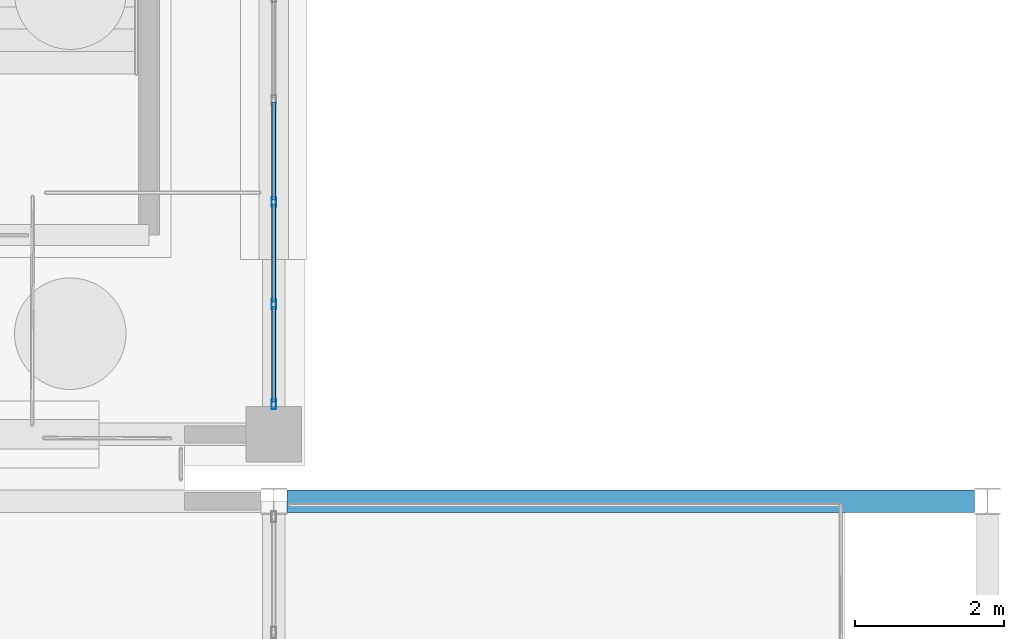
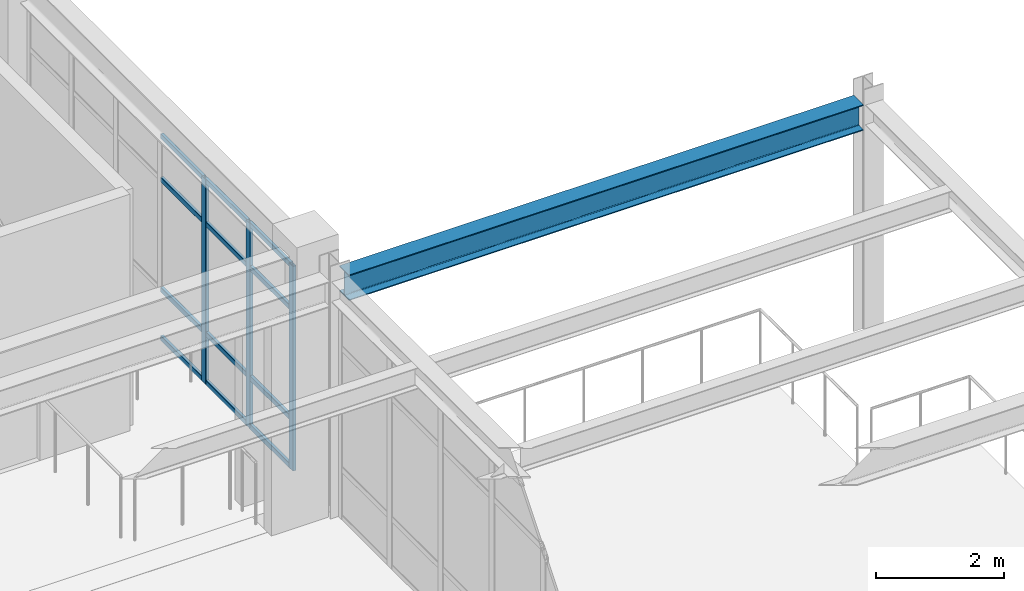
# One storey, part 39 of 139: 15 members, 1 beam, 1 element without a shape of its own.
"""IFC4 building model written with IfcOpenShell, lengths in metres."""

from ifc_helpers import new_model, si_unit, direction, frame, origin, origin_2d, place, context, subcontext, project, spatial, hollow_rectangle, i_section, extrude, material, material_profile, profile_set, type_object, element, aggregate, save


model = new_model("IFC4")

# Units and contexts
model_context = context("Model", 3, precision=1e-05, world=origin(), true_north=direction((0.0, 1.0)))
body_context = subcontext(model_context, "Body", "Model", "MODEL_VIEW")
ifc_project = project(units=[si_unit("LENGTHUNIT", "METRE"), si_unit("AREAUNIT", "SQUARE_METRE"), si_unit("VOLUMEUNIT", "CUBIC_METRE"), si_unit("PLANEANGLEUNIT", "RADIAN"), si_unit("MASSUNIT", "GRAM", prefix="KILO")], contexts=[model_context])

# Site, building, storey
site_placement = place(None, origin())
site = spatial("IfcSite", under=ifc_project, at=site_placement, CompositionType="ELEMENT")
building_placement = place(site_placement, origin())
building = spatial("IfcBuilding", under=site, at=building_placement, Name="Canglan Escarpment Cableway Terminal", CompositionType="ELEMENT")
storey_placement = place(building_placement, frame((0.0, 0.0, 14.39990234375)))
storey = spatial("IfcBuildingStorey", under=building, at=storey_placement, Name="L03", CompositionType="ELEMENT", Elevation=14.39990234375)

# Beam
ifc_material_1 = material(Name="Steel Q355B", Category="steel")
ifc_material_profile_1 = material_profile(ifc_material_1, i_section(OverallWidth=0.300048828125, OverallDepth=0.488037109375, WebThickness=0.010986328125, FlangeThickness=0.01806640625, FilletRadius=0.02587890625, at=origin_2d()), Name="HM 488x300x11x18")
ifc_profile_set_1 = profile_set([ifc_material_profile_1], Name="Steel Q355B")
beam_type = type_object("IfcBeamType", Name="BM-HM488", PredefinedType="BEAM", material=ifc_profile_set_1)
beam_placement = place(storey_placement, frame((166.574951171875, 33.10009765625, 4.256103515625), z_axis=(1.0, 0.0, 0.0), x_axis=(0.0, 1.0, 0.0)))
element("IfcBeam", 1, at=beam_placement, inside=storey, type_object=beam_type, Name="Primary structural girder B-09", PredefinedType="BEAM", context=body_context, shape_type="SweptSolid", body=[
    extrude(i_section(OverallWidth=0.300048828125, OverallDepth=0.488037109375, WebThickness=0.010986328125, FlangeThickness=0.01806640625, FilletRadius=0.02587890625, at=origin_2d()), origin(), (0.0, 0.0, 1.0), 9.25),
])

# Curtain wall, members
ifc_material_2 = material(Name="Anodized bronze aluminium and Low-E double glazing", Category="aluminium")
curtain_wall_type = type_object("IfcCurtainWallType", Name="CW-BAY-8250x3900", PredefinedType="NOTDEFINED", material=ifc_material_2)
curtain_wall_placement = place(storey_placement, origin())
curtain_wall = element("IfcCurtainWall", 2, at=curtain_wall_placement, inside=storey, type_object=curtain_wall_type, Name="Classical bay-between-piers glazed curtain wall CW-62", PredefinedType="NOTDEFINED")
ifc_material_3 = material(Name="Thermally broken anodized aluminium 6063-T6", Category="aluminium")
ifc_material_profile_2 = material_profile(ifc_material_3, hollow_rectangle(XDim=0.06005859375, YDim=0.1298828125, WallThickness=0.0029296875, InnerFilletRadius=0.0029296875, OuterFilletRadius=0.006103515625, at=origin_2d()), Name="ALU-MULL 60x130x3")
ifc_profile_set_2 = profile_set([ifc_material_profile_2], Name="Thermally broken anodized aluminium 6063-T6")
member_type_1 = type_object("IfcMemberType", Name="CWM-01", PredefinedType="MULLION", material=ifc_profile_set_2)
member_1_placement = place(storey_placement, frame((166.39990234375, 34.405029296875, 0.0), z_axis=(0.0, 0.0, 1.0), x_axis=(-1.0, 0.0, 0.0)))
member_1 = element("IfcMember", 3, at=member_1_placement, type_object=member_type_1, Name="CW-62 mullion 1", PredefinedType="MULLION", context=body_context, shape_type="SweptSolid", body=[
    extrude(hollow_rectangle(XDim=0.06005859375, YDim=0.1298828125, WallThickness=0.0029296875, InnerFilletRadius=0.0029296875, OuterFilletRadius=0.006103515625, at=origin_2d()), origin(), (0.0, 0.0, 1.0), 3.89111328125),
])
member_2_placement = place(storey_placement, frame((166.39990234375, 35.75, 0.0), z_axis=(0.0, 0.0, 1.0), x_axis=(-1.0, 0.0, 0.0)))
member_2 = element("IfcMember", 4, at=member_2_placement, type_object=member_type_1, Name="CW-62 mullion 2", PredefinedType="MULLION", context=body_context, shape_type="SweptSolid", body=[
    extrude(hollow_rectangle(XDim=0.06005859375, YDim=0.1298828125, WallThickness=0.0029296875, InnerFilletRadius=0.0029296875, OuterFilletRadius=0.006103515625, at=origin_2d()), origin(), (0.0, 0.0, 1.0), 3.89111328125),
])
member_3_placement = place(storey_placement, frame((166.39990234375, 37.125, 0.0), z_axis=(0.0, 0.0, 1.0), x_axis=(-1.0, 0.0, 0.0)))
member_3 = element("IfcMember", 5, at=member_3_placement, type_object=member_type_1, Name="CW-62 mullion 3", PredefinedType="MULLION", context=body_context, shape_type="SweptSolid", body=[
    extrude(hollow_rectangle(XDim=0.06005859375, YDim=0.1298828125, WallThickness=0.0029296875, InnerFilletRadius=0.0029296875, OuterFilletRadius=0.006103515625, at=origin_2d()), origin(), (0.0, 0.0, 1.0), 3.89111328125),
])
ifc_material_profile_3 = material_profile(ifc_material_3, hollow_rectangle(XDim=0.054931640625, YDim=0.094970703125, WallThickness=0.0029296875, InnerFilletRadius=0.0029296875, OuterFilletRadius=0.006103515625, at=origin_2d()), Name="ALU-TRAN 55x95x3")
ifc_profile_set_3 = profile_set([ifc_material_profile_3], Name="Thermally broken anodized aluminium 6063-T6")
member_type_2 = type_object("IfcMemberType", Name="CWT-01", PredefinedType="USERDEFINED", material=ifc_profile_set_3)
member_4_placement = place(storey_placement, frame((166.39990234375, 34.43505859375, 0.027587890625), z_axis=(0.0, 1.0, 0.0), x_axis=(-1.0, 0.0, 0.0)))
member_4 = element("IfcMember", 6, at=member_4_placement, type_object=member_type_2, Name="CW-62 transom 1.1", ObjectType="TRANSOM", PredefinedType="USERDEFINED", context=body_context, shape_type="SweptSolid", body=[
    extrude(hollow_rectangle(XDim=0.054931640625, YDim=0.094970703125, WallThickness=0.0029296875, InnerFilletRadius=0.0029296875, OuterFilletRadius=0.006103515625, at=origin_2d()), origin(), (0.0, 0.0, 1.0), 1.284912109375),
])
member_5_placement = place(storey_placement, frame((166.39990234375, 34.43505859375, 0.9501953125), z_axis=(0.0, 1.0, 0.0), x_axis=(-1.0, 0.0, 0.0)))
member_5 = element("IfcMember", 7, at=member_5_placement, type_object=member_type_2, Name="CW-62 transom 1.2", ObjectType="TRANSOM", PredefinedType="USERDEFINED", context=body_context, shape_type="SweptSolid", body=[
    extrude(hollow_rectangle(XDim=0.054931640625, YDim=0.094970703125, WallThickness=0.0029296875, InnerFilletRadius=0.0029296875, OuterFilletRadius=0.006103515625, at=origin_2d()), origin(), (0.0, 0.0, 1.0), 1.284912109375),
])
member_6_placement = place(storey_placement, frame((166.39990234375, 34.43505859375, 3.041015625), z_axis=(0.0, 1.0, 0.0), x_axis=(-1.0, 0.0, 0.0)))
member_6 = element("IfcMember", 8, at=member_6_placement, type_object=member_type_2, Name="CW-62 transom 1.3", ObjectType="TRANSOM", PredefinedType="USERDEFINED", context=body_context, shape_type="SweptSolid", body=[
    extrude(hollow_rectangle(XDim=0.054931640625, YDim=0.094970703125, WallThickness=0.0029296875, InnerFilletRadius=0.0029296875, OuterFilletRadius=0.006103515625, at=origin_2d()), origin(), (0.0, 0.0, 1.0), 1.284912109375),
])
member_7_placement = place(storey_placement, frame((166.39990234375, 34.43505859375, 3.863525390625), z_axis=(0.0, 1.0, 0.0), x_axis=(-1.0, 0.0, 0.0)))
member_7 = element("IfcMember", 9, at=member_7_placement, type_object=member_type_2, Name="CW-62 transom 1.4", ObjectType="TRANSOM", PredefinedType="USERDEFINED", context=body_context, shape_type="SweptSolid", body=[
    extrude(hollow_rectangle(XDim=0.054931640625, YDim=0.094970703125, WallThickness=0.0029296875, InnerFilletRadius=0.0029296875, OuterFilletRadius=0.006103515625, at=origin_2d()), origin(), (0.0, 0.0, 1.0), 1.284912109375),
])
member_8_placement = place(storey_placement, frame((166.39990234375, 35.780029296875, 0.027587890625), z_axis=(0.0, 1.0, 0.0), x_axis=(-1.0, 0.0, 0.0)))
member_8 = element("IfcMember", 10, at=member_8_placement, type_object=member_type_2, Name="CW-62 transom 2.1", ObjectType="TRANSOM", PredefinedType="USERDEFINED", context=body_context, shape_type="SweptSolid", body=[
    extrude(hollow_rectangle(XDim=0.054931640625, YDim=0.094970703125, WallThickness=0.0029296875, InnerFilletRadius=0.0029296875, OuterFilletRadius=0.006103515625, at=origin_2d()), origin(), (0.0, 0.0, 1.0), 1.31494140625),
])
member_9_placement = place(storey_placement, frame((166.39990234375, 35.780029296875, 0.9501953125), z_axis=(0.0, 1.0, 0.0), x_axis=(-1.0, 0.0, 0.0)))
member_9 = element("IfcMember", 11, at=member_9_placement, type_object=member_type_2, Name="CW-62 transom 2.2", ObjectType="TRANSOM", PredefinedType="USERDEFINED", context=body_context, shape_type="SweptSolid", body=[
    extrude(hollow_rectangle(XDim=0.054931640625, YDim=0.094970703125, WallThickness=0.0029296875, InnerFilletRadius=0.0029296875, OuterFilletRadius=0.006103515625, at=origin_2d()), origin(), (0.0, 0.0, 1.0), 1.31494140625),
])
member_10_placement = place(storey_placement, frame((166.39990234375, 35.780029296875, 3.041015625), z_axis=(0.0, 1.0, 0.0), x_axis=(-1.0, 0.0, 0.0)))
member_10 = element("IfcMember", 12, at=member_10_placement, type_object=member_type_2, Name="CW-62 transom 2.3", ObjectType="TRANSOM", PredefinedType="USERDEFINED", context=body_context, shape_type="SweptSolid", body=[
    extrude(hollow_rectangle(XDim=0.054931640625, YDim=0.094970703125, WallThickness=0.0029296875, InnerFilletRadius=0.0029296875, OuterFilletRadius=0.006103515625, at=origin_2d()), origin(), (0.0, 0.0, 1.0), 1.31494140625),
])
member_11_placement = place(storey_placement, frame((166.39990234375, 35.780029296875, 3.863525390625), z_axis=(0.0, 1.0, 0.0), x_axis=(-1.0, 0.0, 0.0)))
member_11 = element("IfcMember", 13, at=member_11_placement, type_object=member_type_2, Name="CW-62 transom 2.4", ObjectType="TRANSOM", PredefinedType="USERDEFINED", context=body_context, shape_type="SweptSolid", body=[
    extrude(hollow_rectangle(XDim=0.054931640625, YDim=0.094970703125, WallThickness=0.0029296875, InnerFilletRadius=0.0029296875, OuterFilletRadius=0.006103515625, at=origin_2d()), origin(), (0.0, 0.0, 1.0), 1.31494140625),
])
member_12_placement = place(storey_placement, frame((166.39990234375, 37.155029296875, 0.027587890625), z_axis=(0.0, 1.0, 0.0), x_axis=(-1.0, 0.0, 0.0)))
member_12 = element("IfcMember", 14, at=member_12_placement, type_object=member_type_2, Name="CW-62 transom 3.1", ObjectType="TRANSOM", PredefinedType="USERDEFINED", context=body_context, shape_type="SweptSolid", body=[
    extrude(hollow_rectangle(XDim=0.054931640625, YDim=0.094970703125, WallThickness=0.0029296875, InnerFilletRadius=0.0029296875, OuterFilletRadius=0.006103515625, at=origin_2d()), origin(), (0.0, 0.0, 1.0), 1.31494140625),
])
member_13_placement = place(storey_placement, frame((166.39990234375, 37.155029296875, 0.9501953125), z_axis=(0.0, 1.0, 0.0), x_axis=(-1.0, 0.0, 0.0)))
member_13 = element("IfcMember", 15, at=member_13_placement, type_object=member_type_2, Name="CW-62 transom 3.2", ObjectType="TRANSOM", PredefinedType="USERDEFINED", context=body_context, shape_type="SweptSolid", body=[
    extrude(hollow_rectangle(XDim=0.054931640625, YDim=0.094970703125, WallThickness=0.0029296875, InnerFilletRadius=0.0029296875, OuterFilletRadius=0.006103515625, at=origin_2d()), origin(), (0.0, 0.0, 1.0), 1.31494140625),
])
member_14_placement = place(storey_placement, frame((166.39990234375, 37.155029296875, 3.041015625), z_axis=(0.0, 1.0, 0.0), x_axis=(-1.0, 0.0, 0.0)))
member_14 = element("IfcMember", 16, at=member_14_placement, type_object=member_type_2, Name="CW-62 transom 3.3", ObjectType="TRANSOM", PredefinedType="USERDEFINED", context=body_context, shape_type="SweptSolid", body=[
    extrude(hollow_rectangle(XDim=0.054931640625, YDim=0.094970703125, WallThickness=0.0029296875, InnerFilletRadius=0.0029296875, OuterFilletRadius=0.006103515625, at=origin_2d()), origin(), (0.0, 0.0, 1.0), 1.31494140625),
])
member_15_placement = place(storey_placement, frame((166.39990234375, 37.155029296875, 3.863525390625), z_axis=(0.0, 1.0, 0.0), x_axis=(-1.0, 0.0, 0.0)))
member_15 = element("IfcMember", 17, at=member_15_placement, type_object=member_type_2, Name="CW-62 transom 3.4", ObjectType="TRANSOM", PredefinedType="USERDEFINED", context=body_context, shape_type="SweptSolid", body=[
    extrude(hollow_rectangle(XDim=0.054931640625, YDim=0.094970703125, WallThickness=0.0029296875, InnerFilletRadius=0.0029296875, OuterFilletRadius=0.006103515625, at=origin_2d()), origin(), (0.0, 0.0, 1.0), 1.31494140625),
])
aggregate(curtain_wall, [member_1, member_2, member_3, member_4, member_5, member_6, member_7, member_8, member_9, member_10, member_11, member_12, member_13, member_14, member_15])

save(model, "model.ifc")
